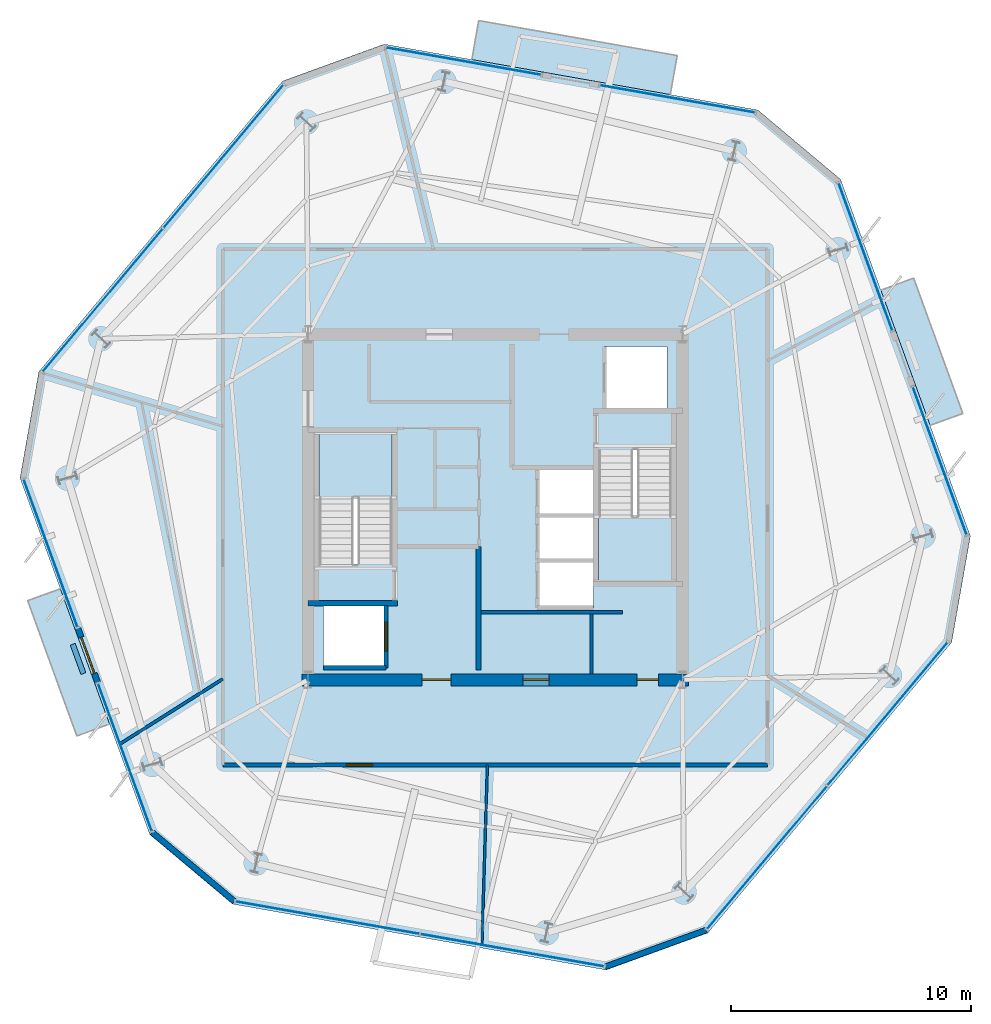
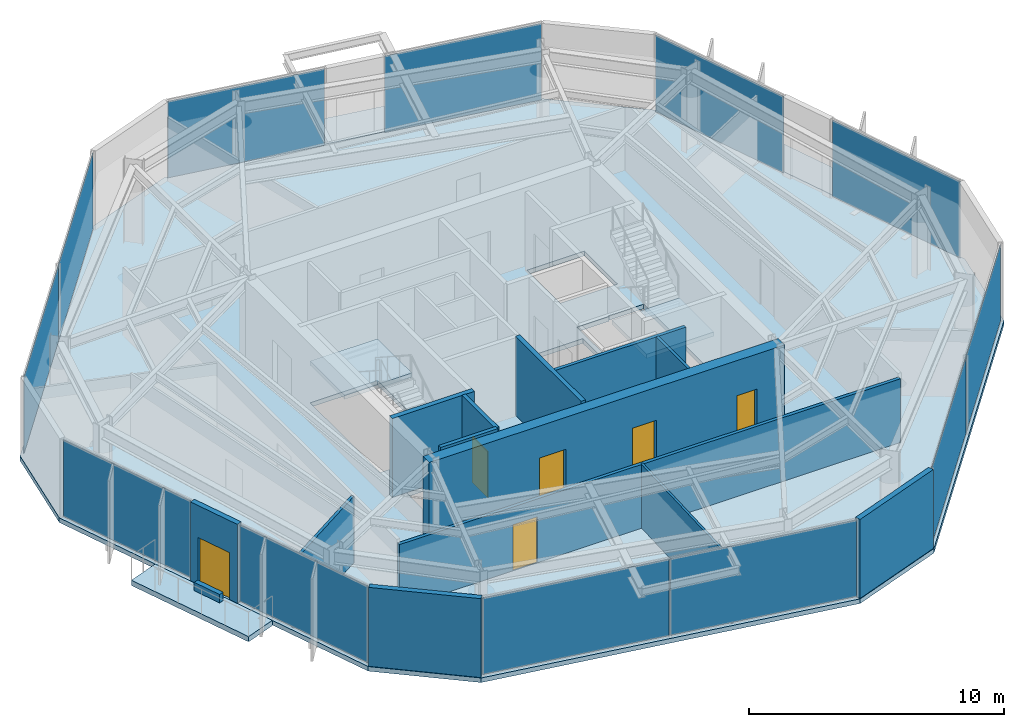
# One storey, part 6 of 11: 14 walls, 12 plates, 6 doors, 6 slabs, 6 openings, 11 elements without a shape of their own.
"""IFC4 building model written with IfcOpenShell, lengths in metres."""

from ifc_helpers import new_model, si_unit, direction, frame, frame_2d, origin, origin_2d, place, context, subcontext, project, spatial, polyline, rectangle, outline, extrude, material, layer, layer_set, type_object, element, fill, aggregate, save


model = new_model("IFC4")

# Units and contexts
model_context = context("Model", 3, precision=1e-05, world=origin(), true_north=direction((0.0, 1.0)))
body_context = subcontext(model_context, "Body", "Model", "MODEL_VIEW")
ifc_project = project(units=[si_unit("LENGTHUNIT", "METRE"), si_unit("AREAUNIT", "SQUARE_METRE"), si_unit("VOLUMEUNIT", "CUBIC_METRE"), si_unit("PLANEANGLEUNIT", "RADIAN"), si_unit("MASSUNIT", "GRAM", prefix="KILO")], contexts=[model_context])

# Site, building, storey
site_placement = place(None, origin())
site = spatial("IfcSite", under=ifc_project, at=site_placement, CompositionType="ELEMENT")
building_placement = place(site_placement, origin())
building = spatial("IfcBuilding", under=site, at=building_placement, Name="Kranzbogen Civic Tower", CompositionType="ELEMENT")
storey_placement = place(building_placement, frame((0.0, 0.0, 224.800048828125)))
storey = spatial("IfcBuildingStorey", under=building, at=storey_placement, Name="L54", CompositionType="ELEMENT", Elevation=224.800048828125)

# Slab
ifc_material_1 = material(Name="Concrete C40/50", Category="concrete")
ifc_layer_1 = layer(ifc_material_1, 0.219970703125, Name="Concrete C40/50")
ifc_layer_set_1 = layer_set([ifc_layer_1], Name="Concrete C40/50")
slab_type_1 = type_object("IfcSlabType", Name="Composite Upper Tower Floor Slab 220 mm", PredefinedType="FLOOR", material=ifc_layer_set_1)
slab_1_placement = place(storey_placement, frame((0.0, 0.0, -0.219970703125)))
element("IfcSlab", 1, at=slab_1_placement, inside=storey, type_object=slab_type_1, Name="L54 tower floor slab", PredefinedType="FLOOR", context=body_context, shape_type="SweptSolid", body=[
    extrude(outline(polyline([(35.949951171875, 41.550048828125), (20.37109375, 44.297119140625), (16.14208984375, 42.758056640625), (5.97412109375, 30.639892578125), (5.19189453125, 26.2080078125), (10.60302734375, 11.343017578125), (14.050048828125, 8.449951171875), (29.62890625, 5.702880859375), (33.85791015625, 7.241943359375), (44.02587890625, 19.360107421875), (44.80810546875, 23.7919921875), (39.39697265625, 38.656982421875), (35.949951171875, 41.550048828125)]), holes=[polyline([(17.85009765625, 20.89990234375), (20.449951171875, 20.89990234375), (20.449951171875, 18.300048828125), (17.85009765625, 18.300048828125), (17.85009765625, 20.89990234375)]), polyline([(29.10009765625, 22.699951171875), (29.10009765625, 20.800048828125), (26.75, 20.800048828125), (26.75, 22.699951171875), (29.10009765625, 22.699951171875)]), polyline([(29.10009765625, 24.64990234375), (29.10009765625, 22.77490234375), (26.75, 22.77490234375), (26.75, 24.64990234375), (26.75, 24.675048828125), (26.75, 26.550048828125), (29.10009765625, 26.550048828125), (29.10009765625, 24.675048828125), (29.10009765625, 24.64990234375)]), polyline([(29.300048828125, 27.340087890625), (30.75, 27.340087890625), (30.75, 27.39990234375), (32.35009765625, 27.39990234375), (32.35009765625, 21.89990234375), (29.300048828125, 21.89990234375), (29.300048828125, 27.340087890625)]), polyline([(20.699951171875, 22.659912109375), (19.25, 22.659912109375), (19.25, 22.60009765625), (17.64990234375, 22.60009765625), (17.64990234375, 28.10009765625), (20.699951171875, 28.10009765625), (20.699951171875, 22.659912109375)]), polyline([(32.14990234375, 31.699951171875), (32.14990234375, 29.10009765625), (29.550048828125, 29.10009765625), (29.550048828125, 31.699951171875), (32.14990234375, 31.699951171875)])]), origin(), (0.0, 0.0, 1.0), 0.219970703125),
])

# Curtain wall, plate
ifc_material_2 = material(Name="Pale Anodised Aluminium", Category="aluminium")
ifc_layer_2 = layer(ifc_material_2, 0.219970703125, Name="Pale Anodised Aluminium")
ifc_layer_set_2 = layer_set([ifc_layer_2], Name="Pale Anodised Aluminium")
curtain_wall_type = type_object("IfcCurtainWallType", Name="Zone 3 Stick Curtain Wall System CW-04", PredefinedType="USERDEFINED", material=ifc_layer_set_2)
curtain_wall_1_placement = place(storey_placement, origin())
curtain_wall_1 = element("IfcCurtainWall", 2, at=curtain_wall_1_placement, inside=storey, type_object=curtain_wall_type, Name="L54 curtain wall CW-L54-F1-S1", ObjectType="STICK CURTAIN WALL", PredefinedType="USERDEFINED")
ifc_material_3 = material(Name="Low-E Triple Glazing Glass", Category="glass")
ifc_layer_3 = layer(ifc_material_3, 0.030029296875, Name="Low-E Triple Glazing Glass")
ifc_layer_set_3 = layer_set([ifc_layer_3], Name="Low-E Triple Glazing Glass")
plate_type = type_object("IfcPlateType", Name="Insulated Low-E Glazing Panel 30 mm", PredefinedType="CURTAIN_PANEL", material=ifc_layer_set_3)
plate_1_placement = place(storey_placement, frame((32.595947265625, 42.010986328125, 0.06005859375), z_axis=(0.0, 0.0, 1.0), x_axis=(-0.984798681851, 0.173699614926, 0.0)))
plate_1 = element("IfcPlate", 3, at=plate_1_placement, type_object=plate_type, Name="CW-04 panel 1.1", PredefinedType="CURTAIN_PANEL", context=body_context, shape_type="SweptSolid", body=[
    extrude(rectangle(XDim=6.53515625, YDim=0.028076171875, at=origin_2d()), origin(), (0.0, 0.0, 1.0), 3.659912109375),
])
aggregate(curtain_wall_1, [plate_1])

curtain_wall_2_placement = place(storey_placement, origin())
curtain_wall_2 = element("IfcCurtainWall", 4, at=curtain_wall_2_placement, inside=storey, type_object=curtain_wall_type, Name="L54 curtain wall CW-L54-F1-S2", ObjectType="STICK CURTAIN WALL", PredefinedType="USERDEFINED")
plate_2_placement = place(storey_placement, frame((23.679931640625, 43.58349609375, 0.06005859375), z_axis=(0.0, 0.0, 1.0), x_axis=(-0.984815318792, 0.173605264532, 0.0)))
plate_2 = element("IfcPlate", 5, at=plate_2_placement, type_object=plate_type, Name="CW-04 panel 1.1", PredefinedType="CURTAIN_PANEL", context=body_context, shape_type="SweptSolid", body=[
    extrude(rectangle(XDim=6.532958984375, YDim=0.028076171875, at=origin_2d()), origin(), (0.0, 0.0, 1.0), 3.659912109375),
])
aggregate(curtain_wall_2, [plate_2])

# Curtain wall, plates
curtain_wall_3_placement = place(storey_placement, origin())
curtain_wall_3 = element("IfcCurtainWall", 6, at=curtain_wall_3_placement, inside=storey, type_object=curtain_wall_type, Name="L54 curtain wall CW-L54-F2", ObjectType="STICK CURTAIN WALL", PredefinedType="USERDEFINED")
plate_3_placement = place(storey_placement, frame((13.67041015625, 39.61328125, 0.06005859375), z_axis=(0.0, 0.0, 1.0), x_axis=(-0.642754513529, -0.766072212874, 0.0)))
plate_3 = element("IfcPlate", 7, at=plate_3_placement, type_object=plate_type, Name="CW-04 panel 1.1", PredefinedType="CURTAIN_PANEL", context=body_context, shape_type="SweptSolid", body=[
    extrude(rectangle(XDim=7.763671875, YDim=0.028076171875, at=origin_2d()), origin(), (0.0, 0.0, 1.0), 3.659912109375),
])
plate_4_placement = place(storey_placement, frame((8.6416015625, 33.61962890625, 0.06005859375), z_axis=(0.0, 0.0, 1.0), x_axis=(-0.642754513529, -0.766072212874, 0.0)))
plate_4 = element("IfcPlate", 8, at=plate_4_placement, type_object=plate_type, Name="CW-04 panel 2.1", PredefinedType="CURTAIN_PANEL", context=body_context, shape_type="SweptSolid", body=[
    extrude(rectangle(XDim=7.763671875, YDim=0.028076171875, at=origin_2d()), origin(), (0.0, 0.0, 1.0), 3.659912109375),
])
aggregate(curtain_wall_3, [plate_3, plate_4])

# Curtain wall, plate
curtain_wall_4_placement = place(storey_placement, origin())
curtain_wall_4 = element("IfcCurtainWall", 9, at=curtain_wall_4_placement, inside=storey, type_object=curtain_wall_type, Name="L54 curtain wall CW-L54-F3-S1", ObjectType="STICK CURTAIN WALL", PredefinedType="USERDEFINED")
plate_5_placement = place(storey_placement, frame((6.469970703125, 23.072509765625, 0.06005859375), z_axis=(0.0, 0.0, 1.0), x_axis=(0.342032633583, -0.93968807461, 0.0)))
plate_5 = element("IfcPlate", 10, at=plate_5_placement, type_object=plate_type, Name="CW-04 panel 1.1", PredefinedType="CURTAIN_PANEL", context=body_context, shape_type="SweptSolid", body=[
    extrude(rectangle(XDim=6.534423828125, YDim=0.028076171875, at=origin_2d()), origin(), (0.0, 0.0, 1.0), 3.659912109375),
])
aggregate(curtain_wall_4, [plate_5])

curtain_wall_5_placement = place(storey_placement, origin())
curtain_wall_5 = element("IfcCurtainWall", 11, at=curtain_wall_5_placement, inside=storey, type_object=curtain_wall_type, Name="L54 curtain wall CW-L54-F3-S2", ObjectType="STICK CURTAIN WALL", PredefinedType="USERDEFINED")
plate_6_placement = place(storey_placement, frame((9.56689453125, 14.56494140625, 0.06005859375), z_axis=(0.0, 0.0, 1.0), x_axis=(0.342080939887, -0.93967049042, 0.0)))
plate_6 = element("IfcPlate", 12, at=plate_6_placement, type_object=plate_type, Name="CW-04 panel 1.1", PredefinedType="CURTAIN_PANEL", context=body_context, shape_type="SweptSolid", body=[
    extrude(rectangle(XDim=6.533447265625, YDim=0.028076171875, at=origin_2d()), origin(), (0.0, 0.0, 1.0), 3.659912109375),
])
aggregate(curtain_wall_5, [plate_6])

# Curtain wall, plates
curtain_wall_6_placement = place(storey_placement, origin())
curtain_wall_6 = element("IfcCurtainWall", 13, at=curtain_wall_6_placement, inside=storey, type_object=curtain_wall_type, Name="L54 curtain wall CW-L54-F4", ObjectType="STICK CURTAIN WALL", PredefinedType="USERDEFINED")
plate_7_placement = place(storey_placement, frame((18.009033203125, 7.88232421875, 0.06005859375), z_axis=(0.0, 0.0, 1.0), x_axis=(0.984803420374, -0.173672747489, 0.0)))
plate_7 = element("IfcPlate", 14, at=plate_7_placement, type_object=plate_type, Name="CW-04 panel 1.1", PredefinedType="CURTAIN_PANEL", context=body_context, shape_type="SweptSolid", body=[
    extrude(rectangle(XDim=7.763916015625, YDim=0.028076171875, at=origin_2d()), origin(), (0.0, 0.0, 1.0), 3.659912109375),
])
plate_8_placement = place(storey_placement, frame((25.7138671875, 6.523681640625, 0.06005859375), z_axis=(0.0, 0.0, 1.0), x_axis=(0.984803420374, -0.173672747489, 0.0)))
plate_8 = element("IfcPlate", 15, at=plate_8_placement, type_object=plate_type, Name="CW-04 panel 2.1", PredefinedType="CURTAIN_PANEL", context=body_context, shape_type="SweptSolid", body=[
    extrude(rectangle(XDim=7.763916015625, YDim=0.028076171875, at=origin_2d()), origin(), (0.0, 0.0, 1.0), 3.659912109375),
])
aggregate(curtain_wall_6, [plate_7, plate_8])

curtain_wall_7_placement = place(storey_placement, origin())
curtain_wall_7 = element("IfcCurtainWall", 16, at=curtain_wall_7_placement, inside=storey, type_object=curtain_wall_type, Name="L54 curtain wall CW-L54-F5", ObjectType="STICK CURTAIN WALL", PredefinedType="USERDEFINED")
plate_9_placement = place(storey_placement, frame((36.32958984375, 10.38671875, 0.06005859375), z_axis=(0.0, 0.0, 1.0), x_axis=(0.642754513529, 0.766072212874, 0.0)))
plate_9 = element("IfcPlate", 17, at=plate_9_placement, type_object=plate_type, Name="CW-04 panel 1.1", PredefinedType="CURTAIN_PANEL", context=body_context, shape_type="SweptSolid", body=[
    extrude(rectangle(XDim=7.763671875, YDim=0.028076171875, at=origin_2d()), origin(), (0.0, 0.0, 1.0), 3.659912109375),
])
plate_10_placement = place(storey_placement, frame((41.3583984375, 16.38037109375, 0.06005859375), z_axis=(0.0, 0.0, 1.0), x_axis=(0.642754513529, 0.766072212874, 0.0)))
plate_10 = element("IfcPlate", 18, at=plate_10_placement, type_object=plate_type, Name="CW-04 panel 2.1", PredefinedType="CURTAIN_PANEL", context=body_context, shape_type="SweptSolid", body=[
    extrude(rectangle(XDim=7.763671875, YDim=0.028076171875, at=origin_2d()), origin(), (0.0, 0.0, 1.0), 3.659912109375),
])
aggregate(curtain_wall_7, [plate_9, plate_10])

# Curtain wall, plate
curtain_wall_8_placement = place(storey_placement, origin())
curtain_wall_8 = element("IfcCurtainWall", 19, at=curtain_wall_8_placement, inside=storey, type_object=curtain_wall_type, Name="L54 curtain wall CW-L54-F6-S1", ObjectType="STICK CURTAIN WALL", PredefinedType="USERDEFINED")
plate_11_placement = place(storey_placement, frame((43.530029296875, 26.927490234375, 0.06005859375), z_axis=(0.0, 0.0, 1.0), x_axis=(-0.342032633583, 0.93968807461, 0.0)))
plate_11 = element("IfcPlate", 20, at=plate_11_placement, type_object=plate_type, Name="CW-04 panel 1.1", PredefinedType="CURTAIN_PANEL", context=body_context, shape_type="SweptSolid", body=[
    extrude(rectangle(XDim=6.534423828125, YDim=0.028076171875, at=origin_2d()), origin(), (0.0, 0.0, 1.0), 3.659912109375),
])
aggregate(curtain_wall_8, [plate_11])

curtain_wall_9_placement = place(storey_placement, origin())
curtain_wall_9 = element("IfcCurtainWall", 21, at=curtain_wall_9_placement, inside=storey, type_object=curtain_wall_type, Name="L54 curtain wall CW-L54-F6-S2", ObjectType="STICK CURTAIN WALL", PredefinedType="USERDEFINED")
plate_12_placement = place(storey_placement, frame((40.43310546875, 35.43505859375, 0.06005859375), z_axis=(0.0, 0.0, 1.0), x_axis=(-0.342080939887, 0.93967049042, 0.0)))
plate_12 = element("IfcPlate", 22, at=plate_12_placement, type_object=plate_type, Name="CW-04 panel 1.1", PredefinedType="CURTAIN_PANEL", context=body_context, shape_type="SweptSolid", body=[
    extrude(rectangle(XDim=6.533447265625, YDim=0.028076171875, at=origin_2d()), origin(), (0.0, 0.0, 1.0), 3.659912109375),
])
aggregate(curtain_wall_9, [plate_12])

# Stair, slab
ifc_material_4 = material(Name="Precast concrete C40/50", Category="concrete")
stair_type_1 = type_object("IfcStairType", Name="Tower Core Pressurized Dogleg Stair 1450", PredefinedType="HALF_TURN_STAIR", material=ifc_material_4)
stair_1_placement = place(storey_placement, origin())
stair_1 = element("IfcStair", 23, at=stair_1_placement, inside=storey, type_object=stair_type_1, Name="L54 Tower Core Pressurized Stair 1", PredefinedType="HALF_TURN_STAIR")
ifc_layer_4 = layer(ifc_material_4, 0.199951171875, Name="Precast concrete C40/50")
ifc_layer_set_4 = layer_set([ifc_layer_4], Name="Precast concrete C40/50")
slab_type_2 = type_object("IfcSlabType", Name="Precast Concrete Stair Landing Slab 200 mm", PredefinedType="LANDING", material=ifc_layer_set_4)
slab_2_placement = place(storey_placement, frame((0.0, 0.0, 1.800048828125)))
slab_2 = element("IfcSlab", 24, at=slab_2_placement, type_object=slab_type_2, Name="ST-T1 landing 1", PredefinedType="LANDING", context=body_context, shape_type="SweptSolid", body=[
    extrude(outline(polyline([(20.699951171875, 25.39990234375), (20.699951171875, 28.10009765625), (17.64990234375, 28.10009765625), (17.64990234375, 25.39990234375), (20.699951171875, 25.39990234375)])), origin(), (0.0, 0.0, 1.0), 0.199951171875),
])
aggregate(stair_1, [slab_2])

stair_type_2 = type_object("IfcStairType", Name="Tower Core Secondary Dogleg Stair 1450", PredefinedType="HALF_TURN_STAIR", material=ifc_material_4)
stair_2_placement = place(storey_placement, origin())
stair_2 = element("IfcStair", 25, at=stair_2_placement, inside=storey, type_object=stair_type_2, Name="L54 Tower Core Pressurized Stair 2", PredefinedType="HALF_TURN_STAIR")
slab_3_placement = place(storey_placement, frame((0.0, 0.0, 1.800048828125)))
slab_3 = element("IfcSlab", 26, at=slab_3_placement, type_object=slab_type_2, Name="ST-T2 landing 1", PredefinedType="LANDING", context=body_context, shape_type="SweptSolid", body=[
    extrude(outline(polyline([(29.300048828125, 24.60009765625), (29.300048828125, 21.89990234375), (32.35009765625, 21.89990234375), (32.35009765625, 24.60009765625), (29.300048828125, 24.60009765625)])), origin(), (0.0, 0.0, 1.0), 0.199951171875),
])
aggregate(stair_2, [slab_3])

# Slabs
ifc_layer_5 = layer(ifc_material_1, 0.280029296875, Name="Concrete C40/50")
ifc_layer_set_5 = layer_set([ifc_layer_5], Name="Concrete C40/50")
slab_type_3 = type_object("IfcSlabType", Name="Spiral Terrace Cantilevered Slab 280 mm", PredefinedType="FLOOR", material=ifc_layer_set_5)
slab_4_placement = place(storey_placement, frame((0.0, 0.0, -0.280029296875)))
element("IfcSlab", 27, at=slab_4_placement, inside=storey, type_object=slab_type_3, Name="L54 cantilevered spiral terrace L54-ST", PredefinedType="FLOOR", context=body_context, shape_type="SweptSolid", body=[
    extrude(outline(polyline([(32.297119140625, 42.194091796875), (24.02392578125, 43.653076171875), (24.31103515625, 45.278076171875), (32.583984375, 43.819091796875), (32.297119140625, 42.194091796875)])), origin(), (0.0, 0.0, 1.0), 0.280029296875),
])
ifc_layer_6 = layer(ifc_material_1, 0.25, Name="Concrete C40/50")
ifc_layer_set_6 = layer_set([ifc_layer_6], Name="Concrete C40/50")
slab_type_4 = type_object("IfcSlabType", Name="Tree Balcony Cantilevered Slab 250 mm", PredefinedType="FLOOR", material=ifc_layer_set_6)
slab_5_placement = place(storey_placement, frame((0.0, 0.0, -0.25)))
element("IfcSlab", 28, at=slab_5_placement, inside=storey, type_object=slab_type_4, Name="L54 cantilevered tree balcony L54-TB1", PredefinedType="FLOOR", context=body_context, shape_type="SweptSolid", body=[
    extrude(outline(polyline([(6.8720703125, 21.593994140625), (8.924072265625, 15.9560546875), (7.56103515625, 15.4599609375), (5.509033203125, 21.097900390625), (6.8720703125, 21.593994140625)])), origin(), (0.0, 0.0, 1.0), 0.25),
])
slab_6_placement = place(storey_placement, frame((0.0, 0.0, -0.25)))
element("IfcSlab", 29, at=slab_6_placement, inside=storey, type_object=slab_type_4, Name="L54 cantilevered tree balcony L54-TB2", PredefinedType="FLOOR", context=body_context, shape_type="SweptSolid", body=[
    extrude(outline(polyline([(43.1279296875, 28.406005859375), (41.075927734375, 34.0439453125), (42.43896484375, 34.5400390625), (44.490966796875, 28.902099609375), (43.1279296875, 28.406005859375)])), origin(), (0.0, 0.0, 1.0), 0.25),
])

# Wall
ifc_material_5 = material(Name="Double-Stud Acoustic Gypsum Partition")
ifc_layer_7 = layer(ifc_material_5, 0.14990234375, Name="Double-Stud Acoustic Gypsum Partition")
ifc_layer_set_7 = layer_set([ifc_layer_7], Name="Double-Stud Acoustic Gypsum Partition")
wall_type_1 = type_object("IfcWallType", Name="Acoustic Corridor and Clinical Partition 150 mm", PredefinedType="PARTITIONING", material=ifc_layer_set_7)
wall_1_placement = place(storey_placement, frame((24.39990234375, 20.610107421875, 0.0), z_axis=(0.0, 0.0, 1.0), x_axis=(1.0, 0.0, 0.0)))
element("IfcWall", 30, at=wall_1_placement, inside=storey, type_object=wall_type_1, Name="L54 records zone North wall", PredefinedType="PARTITIONING", context=body_context, shape_type="SweptSolid", body=[
    extrude(rectangle(XDim=5.900146484375, YDim=0.14990234375, at=frame_2d((2.9501953125, 0.0))), origin(), (0.0, 0.0, 1.0), 3.780029296875),
])

# Wall, opening, door
wall_2_placement = place(storey_placement, frame((36.35009765625, 14.25, 0.0), z_axis=(0.0, 0.0, 1.0), x_axis=(-1.0, 0.0, 0.0)))
wall_2 = element("IfcWall", 31, at=wall_2_placement, inside=storey, type_object=wall_type_1, Name="L54 corridor partition 03", PredefinedType="PARTITIONING", context=body_context, shape_type="SweptSolid", body=[
    extrude(rectangle(XDim=22.7001953125, YDim=0.14990234375, at=frame_2d((11.35009765625, 0.0))), origin(), (0.0, 0.0, 1.0), 3.050048828125),
])
opening_1_placement = place(wall_2_placement, frame((16.4560546875, 0.0, 0.0)))
opening_1 = element("IfcOpeningElement", 32, at=opening_1_placement, cuts=wall_2, Name="Opening D-COR60", PredefinedType="OPENING", context=body_context, shape_type="SweptSolid", body=[
    extrude(rectangle(XDim=1.10009765625, YDim=2.199951171875, at=frame_2d((0.550048828125, 1.10009765625))), frame((0.0, 0.0849609375, 0.0), z_axis=(0.0, -1.0, 0.0), x_axis=(1.0, 0.0, 0.0)), (0.0, 0.0, 1.0), 0.169921875),
])
ifc_material_6 = material(Name="Oak Timber and Fire Core", Category="wood")
door_type_1 = type_object("IfcDoorType", Name="Corridor Acoustic Fire Door 1100x2200", OperationType="NOTDEFINED", PredefinedType="DOOR", material=ifc_material_6)
door_1_placement = place(opening_1_placement, origin())
door_1 = element("IfcDoor", 33, at=door_1_placement, inside=storey, type_object=door_type_1, Name="L54 Protocol Dining Room door", OperationType="SINGLE_SWING_RIGHT", OverallHeight=2.199951171875, OverallWidth=1.10009765625, PredefinedType="DOOR", context=body_context, shape_type="SweptSolid", body=[
    extrude(rectangle(XDim=1.10009765625, YDim=2.199951171875, at=frame_2d((0.550048828125, 1.10009765625))), frame((0.0, 0.02490234375, 0.0), z_axis=(0.0, -1.0, 0.0), x_axis=(1.0, 0.0, 0.0)), (0.0, 0.0, 1.0), 0.050048828125),
])
fill(opening_1, door_1)

# Walls
ifc_material_7 = material(Name="Insulated Metal-Stud Gypsum Partition")
ifc_layer_8 = layer(ifc_material_7, 0.125, Name="Insulated Metal-Stud Gypsum Partition")
ifc_layer_set_8 = layer_set([ifc_layer_8], Name="Insulated Metal-Stud Gypsum Partition")
wall_type_2 = type_object("IfcWallType", Name="Acoustic Inter-Room Partition 125 mm", PredefinedType="PARTITIONING", material=ifc_layer_set_8)
wall_3_placement = place(storey_placement, frame((29.010009765625, 18.050048828125, 0.0), z_axis=(0.0, 0.0, 1.0), x_axis=(0.0, 1.0, 0.0)))
element("IfcWall", 34, at=wall_3_placement, inside=storey, type_object=wall_type_2, Name="L54 core auxiliary partition 1", PredefinedType="PARTITIONING", context=body_context, shape_type="SweptSolid", body=[
    extrude(rectangle(XDim=2.5, YDim=0.125, at=frame_2d((1.25, 0.0))), origin(), (0.0, 0.0, 1.0), 3.780029296875),
])
wall_4_placement = place(storey_placement, frame((13.64990234375, 17.8359375, 0.0), z_axis=(0.0, 0.0, 1.0), x_axis=(-0.845607107165, -0.533805788946, 0.0)))
element("IfcWall", 35, at=wall_4_placement, inside=storey, type_object=wall_type_2, Name="L54 radial room partition 03", PredefinedType="PARTITIONING", context=body_context, shape_type="SweptSolid", body=[
    extrude(rectangle(XDim=5.05419921875, YDim=0.125, at=frame_2d((2.527099609375, 0.0))), origin(), (0.0, 0.0, 1.0), 3.179931640625),
])
ifc_material_8 = material(Name="Architectural Precast Terracotta Concrete C40/50", Category="masonry")
ifc_layer_9 = layer(ifc_material_8, 0.219970703125, Name="Architectural Precast Terracotta Concrete C40/50")
ifc_layer_set_9 = layer_set([ifc_layer_9], Name="Architectural Precast Terracotta Concrete C40/50")
wall_type_3 = type_object("IfcWallType", Name="Architectural Tree Planter Kerb Wall 220 mm", PredefinedType="USERDEFINED", material=ifc_layer_set_9)
wall_5_placement = place(storey_placement, frame((7.389892578125, 19.281982421875, 0.0), z_axis=(0.0, 0.0, 1.0), x_axis=(0.341577205661, -0.93985371871, 0.0)))
element("IfcWall", 36, at=wall_5_placement, inside=storey, type_object=wall_type_3, Name="L54 landscaped tree balcony planter L54-TB1", ObjectType="PLANTER_WALL", PredefinedType="USERDEFINED", context=body_context, shape_type="SweptSolid", body=[
    extrude(rectangle(XDim=1.300048828125, YDim=0.219970703125, at=frame_2d((0.64990234375, 0.0))), origin(), (0.0, 0.0, 1.0), 0.39990234375),
])

# Wall, openings, doors
ifc_material_9 = material(Name="Concrete C45/55", Category="concrete")
ifc_layer_10 = layer(ifc_material_9, 0.5, Name="Concrete C45/55")
ifc_layer_set_10 = layer_set([ifc_layer_10], Name="Concrete C45/55")
wall_type_4 = type_object("IfcWallType", Name="Central Core Shear Wall 500 mm", PredefinedType="SHEAR", material=ifc_layer_set_10)
wall_6_placement = place(storey_placement, frame((16.949951171875, 17.800048828125, 0.0), z_axis=(0.0, 0.0, 1.0), x_axis=(1.0, 0.0, 0.0)))
wall_6 = element("IfcWall", 37, at=wall_6_placement, inside=storey, type_object=wall_type_4, Name="L54 central core South shear wall", PredefinedType="SHEAR", context=body_context, shape_type="SweptSolid", body=[
    extrude(rectangle(XDim=16.10009765625, YDim=0.5, at=frame_2d((8.050048828125, 0.0))), origin(), (0.0, 0.0, 1.0), 3.780029296875),
])
opening_2_placement = place(wall_6_placement, frame((5.0, 0.0, 0.0)))
opening_2 = element("IfcOpeningElement", 38, at=opening_2_placement, cuts=wall_6, Name="Opening D-EX120", PredefinedType="OPENING", context=body_context, shape_type="SweptSolid", body=[
    extrude(rectangle(XDim=1.199951171875, YDim=2.25, at=frame_2d((0.60009765625, 1.125))), frame((0.0, 0.260009765625, 0.0), z_axis=(0.0, -1.0, 0.0), x_axis=(1.0, 0.0, 0.0)), (0.0, 0.0, 1.0), 0.52001953125),
])
opening_3_placement = place(wall_6_placement, frame((13.949951171875, 0.0, 0.0)))
opening_3 = element("IfcOpeningElement", 39, at=opening_3_placement, cuts=wall_6, Name="Opening D-WC90", PredefinedType="OPENING", context=body_context, shape_type="SweptSolid", body=[
    extrude(rectangle(XDim=0.89990234375, YDim=2.10009765625, at=frame_2d((0.449951171875, 1.050048828125))), frame((0.0, 0.260009765625, 0.0), z_axis=(0.0, -1.0, 0.0), x_axis=(1.0, 0.0, 0.0)), (0.0, 0.0, 1.0), 0.52001953125),
])
opening_4_placement = place(wall_6_placement, frame((9.199951171875, 0.0, 0.0)))
opening_4 = element("IfcOpeningElement", 40, at=opening_4_placement, cuts=wall_6, Name="Opening D-COR60", PredefinedType="OPENING", context=body_context, shape_type="SweptSolid", body=[
    extrude(rectangle(XDim=1.10009765625, YDim=2.199951171875, at=frame_2d((0.550048828125, 1.10009765625))), frame((0.0, 0.260009765625, 0.0), z_axis=(0.0, -1.0, 0.0), x_axis=(1.0, 0.0, 0.0)), (0.0, 0.0, 1.0), 0.52001953125),
])
door_2_placement = place(opening_4_placement, origin())
door_2 = element("IfcDoor", 41, at=door_2_placement, inside=storey, type_object=door_type_1, Name="L54 REC1 archive room door", OperationType="SINGLE_SWING_RIGHT", OverallHeight=2.199951171875, OverallWidth=1.10009765625, PredefinedType="DOOR", context=body_context, shape_type="SweptSolid", body=[
    extrude(rectangle(XDim=1.10009765625, YDim=2.199951171875, at=frame_2d((0.550048828125, 1.10009765625))), frame((0.0, 0.02490234375, 0.0), z_axis=(0.0, -1.0, 0.0), x_axis=(1.0, 0.0, 0.0)), (0.0, 0.0, 1.0), 0.050048828125),
])
fill(opening_4, door_2)
ifc_material_10 = material(Name="Steel S355", Category="steel")
door_type_2 = type_object("IfcDoorType", Name="Exit Passageway Fire Door 1200x2250", OperationType="NOTDEFINED", PredefinedType="DOOR", material=ifc_material_10)
door_3_placement = place(opening_2_placement, origin())
door_3 = element("IfcDoor", 42, at=door_3_placement, inside=storey, type_object=door_type_2, Name="L54 West firefighting lobby corridor door", OperationType="SINGLE_SWING_LEFT", OverallHeight=2.25, OverallWidth=1.199951171875, PredefinedType="DOOR", context=body_context, shape_type="SweptSolid", body=[
    extrude(rectangle(XDim=1.199951171875, YDim=2.25, at=frame_2d((0.60009765625, 1.125))), frame((0.0, 0.02490234375, 0.0), z_axis=(0.0, -1.0, 0.0), x_axis=(1.0, 0.0, 0.0)), (0.0, 0.0, 1.0), 0.050048828125),
])
fill(opening_2, door_3)
ifc_material_11 = material(Name="Moisture-Resistant Laminate")
door_type_3 = type_object("IfcDoorType", Name="Standard Restroom and Store Door 900x2100", OperationType="NOTDEFINED", PredefinedType="DOOR", material=ifc_material_11)
door_4_placement = place(opening_3_placement, origin())
door_4 = element("IfcDoor", 43, at=door_4_placement, inside=storey, type_object=door_type_3, Name="L54 East electrical riser access door", OperationType="SINGLE_SWING_LEFT", OverallHeight=2.10009765625, OverallWidth=0.89990234375, PredefinedType="DOOR", context=body_context, shape_type="SweptSolid", body=[
    extrude(rectangle(XDim=0.89990234375, YDim=2.10009765625, at=frame_2d((0.449951171875, 1.050048828125))), frame((0.0, 0.02490234375, 0.0), z_axis=(0.0, -1.0, 0.0), x_axis=(1.0, 0.0, 0.0)), (0.0, 0.0, 1.0), 0.050048828125),
])
fill(opening_3, door_4)

# Walls
ifc_layer_11 = layer(ifc_material_9, 0.219970703125, Name="Concrete C45/55")
ifc_layer_set_11 = layer_set([ifc_layer_11], Name="Concrete C45/55")
wall_type_5 = type_object("IfcWallType", Name="Core Internal Stair Structural Wall 220 mm", PredefinedType="SOLIDWALL", material=ifc_layer_set_11)
wall_7_placement = place(storey_placement, frame((17.199951171875, 20.989990234375, 0.0), z_axis=(0.0, 0.0, 1.0), x_axis=(1.0, 0.0, 0.0)))
element("IfcWall", 44, at=wall_7_placement, inside=storey, type_object=wall_type_5, Name="L54 ST-T1 South structural stair wall", PredefinedType="SOLIDWALL", context=body_context, shape_type="SweptSolid", body=[
    extrude(rectangle(XDim=3.719970703125, YDim=0.219970703125, at=frame_2d((1.85986328125, 0.0))), origin(), (0.0, 0.0, 1.0), 3.780029296875),
])
ifc_material_12 = material(Name="Demountable Aluminium and Gypsum Partition", Category="aluminium")
ifc_layer_12 = layer(ifc_material_12, 0.10009765625, Name="Demountable Aluminium and Gypsum Partition")
ifc_layer_set_12 = layer_set([ifc_layer_12], Name="Demountable Aluminium and Gypsum Partition")
wall_type_6 = type_object("IfcWallType", Name="Demountable Office Partition 100 mm", PredefinedType="MOVABLE", material=ifc_layer_set_12)
wall_8_placement = place(storey_placement, frame((24.673095703125, 14.25, 0.0), z_axis=(0.0, 0.0, 1.0), x_axis=(-0.030315772929, -0.999540371327, 0.0)))
element("IfcWall", 45, at=wall_8_placement, inside=storey, type_object=wall_type_6, Name="L54 radial room partition 04", PredefinedType="MOVABLE", context=body_context, shape_type="SweptSolid", body=[
    extrude(rectangle(XDim=7.489501953125, YDim=0.10009765625, at=frame_2d((3.74462890625, 0.0))), origin(), (0.0, 0.0, 1.0), 3.050048828125),
])
ifc_material_13 = material(Name="Gypsum Fireboard and Concrete Block", Category="concrete")
ifc_layer_13 = layer(ifc_material_13, 0.199951171875, Name="Gypsum Fireboard and Concrete Block")
ifc_layer_set_13 = layer_set([ifc_layer_13], Name="Gypsum Fireboard and Concrete Block")
wall_type_7 = type_object("IfcWallType", Name="Fire-Rated Exit Passageway and Stair Wall 200 mm", PredefinedType="PARTITIONING", material=ifc_layer_set_13)
wall_9_placement = place(storey_placement, frame((24.300048828125, 18.199951171875, 0.0), z_axis=(0.0, 0.0, 1.0), x_axis=(0.0, 1.0, 0.0)))
element("IfcWall", 46, at=wall_9_placement, inside=storey, type_object=wall_type_7, Name="L54 West firefighting lobby East wall", PredefinedType="PARTITIONING", context=body_context, shape_type="SweptSolid", body=[
    extrude(rectangle(XDim=5.150146484375, YDim=0.199951171875, at=frame_2d((2.5751953125, 0.0))), origin(), (0.0, 0.0, 1.0), 3.780029296875),
])

# Wall, opening, door
ifc_material_14 = material(Name="Gypsum Fireboard Shaftliner")
ifc_layer_14 = layer(ifc_material_14, 0.175048828125, Name="Gypsum Fireboard Shaftliner")
ifc_layer_set_14 = layer_set([ifc_layer_14], Name="Gypsum Fireboard Shaftliner")
wall_type_8 = type_object("IfcWallType", Name="Fire-Rated Lift and Service Shaft Wall 175 mm", PredefinedType="PARTITIONING", material=ifc_layer_set_14)
wall_10_placement = place(storey_placement, frame((20.449951171875, 18.300048828125, 0.0), z_axis=(0.0, 0.0, 1.0), x_axis=(0.0, 1.0, 0.0)))
wall_10 = element("IfcWall", 47, at=wall_10_placement, inside=storey, type_object=wall_type_8, Name="L54 lift FF-01 landing wall", PredefinedType="PARTITIONING", context=body_context, shape_type="SweptSolid", body=[
    extrude(rectangle(XDim=2.599853515625, YDim=0.175048828125, at=frame_2d((1.2998046875, 0.0))), origin(), (0.0, 0.0, 1.0), 3.780029296875),
])
opening_5_placement = place(wall_10_placement, frame((0.699951171875, 0.0, 0.0)))
opening_5 = element("IfcOpeningElement", 48, at=opening_5_placement, cuts=wall_10, Name="Opening LD-FF-01", PredefinedType="OPENING", context=body_context, shape_type="SweptSolid", body=[
    extrude(rectangle(XDim=1.199951171875, YDim=2.199951171875, at=frame_2d((0.60009765625, 1.10009765625))), frame((0.0, 0.09765625, 0.0), z_axis=(0.0, -1.0, 0.0), x_axis=(1.0, 0.0, 0.0)), (0.0, 0.0, 1.0), 0.195068359375),
])
door_type_4 = type_object("IfcDoorType", Name="Firefighting and Stretcher Lift Sliding Landing Door 1200x2200", OperationType="DOUBLE_DOOR_SLIDING", PredefinedType="DOOR", material=ifc_material_2)
door_5_placement = place(opening_5_placement, origin())
door_5 = element("IfcDoor", 49, at=door_5_placement, inside=storey, type_object=door_type_4, Name="L54 lift FF-01 sliding landing door", OperationType="DOUBLE_DOOR_SLIDING", OverallHeight=2.199951171875, OverallWidth=1.199951171875, PredefinedType="DOOR", context=body_context, shape_type="SweptSolid", body=[
    extrude(rectangle(XDim=1.199951171875, YDim=2.199951171875, at=frame_2d((0.60009765625, 1.10009765625))), frame((0.0, 0.02490234375, 0.0), z_axis=(0.0, -1.0, 0.0), x_axis=(1.0, 0.0, 0.0)), (0.0, 0.0, 1.0), 0.050048828125),
])
fill(opening_5, door_5)

# Wall
wall_11_placement = place(storey_placement, frame((17.85009765625, 18.300048828125, 0.0), z_axis=(0.0, 0.0, 1.0), x_axis=(1.0, 0.0, 0.0)))
element("IfcWall", 50, at=wall_11_placement, inside=storey, type_object=wall_type_8, Name="L54 lift FF-01 side wall", PredefinedType="PARTITIONING", context=body_context, shape_type="SweptSolid", body=[
    extrude(rectangle(XDim=2.599853515625, YDim=0.175048828125, at=frame_2d((1.2998046875, 0.0))), origin(), (0.0, 0.0, 1.0), 3.780029296875),
])

# Wall, opening, door
ifc_layer_15 = layer(ifc_material_2, 0.239990234375, Name="Pale Anodised Aluminium")
ifc_layer_set_15 = layer_set([ifc_layer_15], Name="Pale Anodised Aluminium")
wall_type_9 = type_object("IfcWallType", Name="Insulated Aluminium Facade Portal Wall 240 mm", PredefinedType="STANDARD", material=ifc_layer_set_15)
wall_12_placement = place(storey_placement, frame((7.60791015625, 19.946044921875, 0.0), z_axis=(0.0, 0.0, 1.0), x_axis=(0.342110593602, -0.939659694648, 0.0)))
wall_12 = element("IfcWall", 51, at=wall_12_placement, inside=storey, type_object=wall_type_9, Name="L54 exterior entrance portal wall 1", PredefinedType="STANDARD", context=body_context, shape_type="SweptSolid", body=[
    extrude(rectangle(XDim=2.39990234375, YDim=0.239990234375, at=frame_2d((1.199951171875, 0.0))), origin(), (0.0, 0.0, 1.0), 3.780029296875),
])
opening_6_placement = place(wall_12_placement, frame((0.39990234375, 0.0, 0.0)))
opening_6 = element("IfcOpeningElement", 52, at=opening_6_placement, cuts=wall_12, Name="Opening D-TER", PredefinedType="OPENING", context=body_context, shape_type="SweptSolid", body=[
    extrude(rectangle(XDim=1.60009765625, YDim=2.25, at=frame_2d((0.800048828125, 1.125))), frame((0.0, 0.1298828125, 0.0), z_axis=(0.0, -1.0, 0.0), x_axis=(1.0, 0.0, 0.0)), (0.0, 0.0, 1.0), 0.260009765625),
])
ifc_material_15 = material(Name="Anodised Bronze and Triple Glass", Category="glass")
door_type_5 = type_object("IfcDoorType", Name="Glazed Terrace and Balcony Double Door 1600x2250", OperationType="DOUBLE_DOOR_SINGLE_SWING", PredefinedType="DOOR", material=ifc_material_15)
door_6_placement = place(opening_6_placement, frame((1.60009765625, 0.0, 0.0), z_axis=(0.0, 0.0, 1.0), x_axis=(-1.0, 0.0, 0.0)))
door_6 = element("IfcDoor", 53, at=door_6_placement, inside=storey, type_object=door_type_5, Name="L54 tree balcony access door L54-TB1", OperationType="DOUBLE_DOOR_SINGLE_SWING", OverallHeight=2.25, OverallWidth=1.60009765625, PredefinedType="DOOR", context=body_context, shape_type="SweptSolid", body=[
    extrude(rectangle(XDim=1.60009765625, YDim=2.25, at=frame_2d((0.800048828125, 1.125))), frame((0.0, 0.02490234375, 0.0), z_axis=(0.0, -1.0, 0.0), x_axis=(1.0, 0.0, 0.0)), (0.0, 0.0, 1.0), 0.050048828125),
])
fill(opening_6, door_6)

# Walls
wall_13_placement = place(storey_placement, frame((10.705078125, 11.43896484375, 0.0), z_axis=(0.0, 0.0, 1.0), x_axis=(0.765958876261, -0.642889570515, 0.0)))
element("IfcWall", 54, at=wall_13_placement, inside=storey, type_object=wall_type_9, Name="L54 chamfered corner facade spandrel 3", PredefinedType="STANDARD", context=body_context, shape_type="SweptSolid", body=[
    extrude(rectangle(XDim=4.467529296875, YDim=0.239990234375, at=frame_2d((2.23388671875, 0.0))), origin(), (0.0, 0.0, 1.0), 3.780029296875),
])
wall_14_placement = place(storey_placement, frame((29.595947265625, 5.839111328125, 0.0), z_axis=(0.0, 0.0, 1.0), x_axis=(0.939751947736, 0.341857099862, 0.0)))
element("IfcWall", 55, at=wall_14_placement, inside=storey, type_object=wall_type_9, Name="L54 chamfered corner facade spandrel 4", PredefinedType="STANDARD", context=body_context, shape_type="SweptSolid", body=[
    extrude(rectangle(XDim=4.46923828125, YDim=0.239990234375, at=frame_2d((2.234619140625, 0.0))), origin(), (0.0, 0.0, 1.0), 3.780029296875),
])

save(model, "model.ifc")
